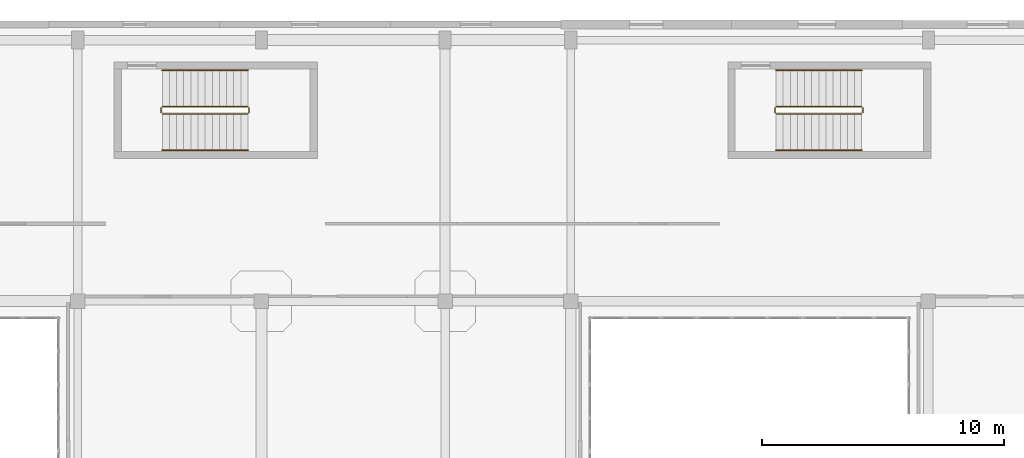
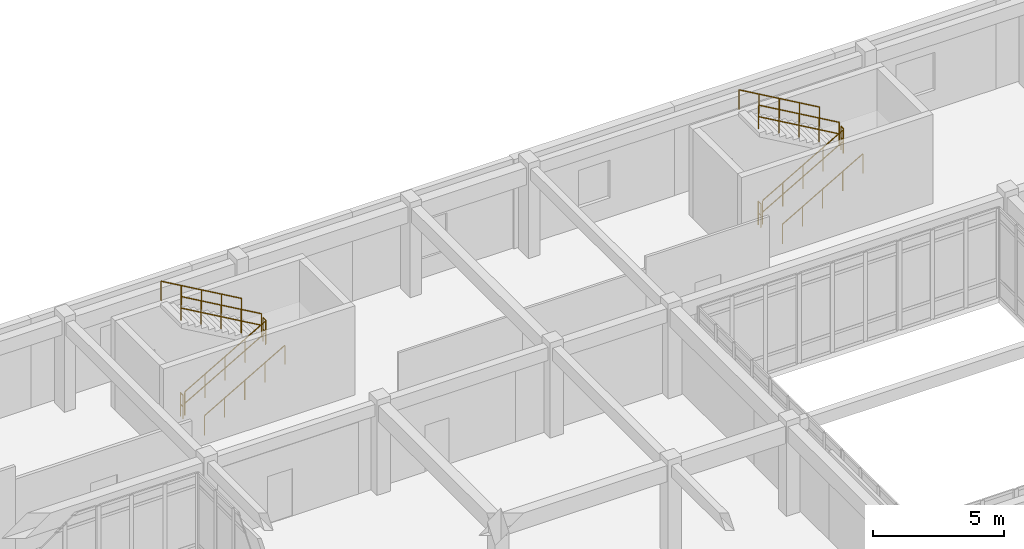
# One storey, part 141 of 142: 12 railings.
"""IFC4 building model written with IfcOpenShell, lengths in metres."""

from ifc_helpers import new_model, si_unit, direction, frame, origin, origin_2d, place, context, subcontext, project, spatial, circle, extrude, material, type_object, element, save


model = new_model("IFC4")

# Units and contexts
model_context = context("Model", 3, precision=1e-05, world=origin(), true_north=direction((0.0, 1.0)))
body_context = subcontext(model_context, "Body", "Model", "MODEL_VIEW")
ifc_project = project(units=[si_unit("LENGTHUNIT", "METRE"), si_unit("AREAUNIT", "SQUARE_METRE"), si_unit("VOLUMEUNIT", "CUBIC_METRE"), si_unit("PLANEANGLEUNIT", "RADIAN"), si_unit("MASSUNIT", "GRAM", prefix="KILO")], contexts=[model_context])

# Site, building, storey
site_placement = place(None, origin())
site = spatial("IfcSite", under=ifc_project, at=site_placement, CompositionType="ELEMENT")
building_placement = place(site_placement, origin())
building = spatial("IfcBuilding", under=site, at=building_placement, Name="Valcora Specialist Clinic", CompositionType="ELEMENT")
storey_placement = place(building_placement, frame((0.0, 0.0, 5.10009765625)))
storey = spatial("IfcBuildingStorey", under=building, at=storey_placement, Name="L01", CompositionType="ELEMENT", Elevation=5.10009765625)

# Railings
ifc_material = material(Name="Stainless Steel AISI 316", Category="steel")
railing_type_1 = type_object("IfcRailingType", Name="TY-RL-GRD112", PredefinedType="GUARDRAIL", material=ifc_material)
railing_1_placement = place(storey_placement, frame((94.300048828125, 106.949951171875, 0.169921875)))
element("IfcRailing", 1, at=railing_1_placement, inside=storey, type_object=railing_type_1, Name="L01 ST-V4B stair guard 1", PredefinedType="GUARDRAIL", context=body_context, shape_type="SweptSolid", body=[
    extrude(circle(Radius=0.02392578125, at=origin_2d()), frame((0.0, 0.0, 1.09619140625), z_axis=(0.866428212428, 0.0, 0.499301665038), x_axis=(0.0, 1.0, 0.0)), (0.0, 0.0, 1.0), 4.085693359375),
    extrude(circle(Radius=0.02392578125, at=origin_2d()), frame((0.0, 0.0, 0.56005859375), z_axis=(0.866428212428, 0.0, 0.499301665038), x_axis=(0.0, 1.0, 0.0)), (0.0, 0.0, 1.0), 4.085693359375),
    extrude(circle(Radius=0.02099609375, at=origin_2d()), origin(), (0.0, 0.0, 1.0), 1.072021484375),
    extrude(circle(Radius=0.02099609375, at=origin_2d()), frame((0.885009765625, 0.0, 0.510009765625)), (0.0, 0.0, 1.0), 1.072021484375),
    extrude(circle(Radius=0.02099609375, at=origin_2d()), frame((1.77001953125, 0.0, 1.02001953125)), (0.0, 0.0, 1.0), 1.072021484375),
    extrude(circle(Radius=0.02099609375, at=origin_2d()), frame((2.655029296875, 0.0, 1.530029296875)), (0.0, 0.0, 1.0), 1.072021484375),
    extrude(circle(Radius=0.02099609375, at=origin_2d()), frame((3.5400390625, 0.0, 2.0400390625)), (0.0, 0.0, 1.0), 1.072021484375),
])
railing_2_placement = place(storey_placement, frame((97.889892578125, 107.0, 2.2099609375)))
element("IfcRailing", 2, at=railing_2_placement, inside=storey, type_object=railing_type_1, Name="L01 ST-V4B stair guard 2", PredefinedType="GUARDRAIL", context=body_context, shape_type="SweptSolid", body=[
    extrude(circle(Radius=0.02392578125, at=origin_2d()), frame((0.0, 0.0, 1.09619140625), z_axis=(0.0, 1.0, 0.0), x_axis=(-1.0, 0.0, 0.0)), (0.0, 0.0, 1.0), 0.199951171875),
    extrude(circle(Radius=0.02392578125, at=origin_2d()), frame((0.0, 0.0, 0.56005859375), z_axis=(0.0, 1.0, 0.0), x_axis=(-1.0, 0.0, 0.0)), (0.0, 0.0, 1.0), 0.199951171875),
    extrude(circle(Radius=0.02099609375, at=origin_2d()), origin(), (0.0, 0.0, 1.0), 1.072021484375),
    extrude(circle(Radius=0.02099609375, at=origin_2d()), frame((0.0, 0.199951171875, 0.0)), (0.0, 0.0, 1.0), 1.072021484375),
])
railing_3_placement = place(storey_placement, frame((97.840087890625, 107.25, 2.3798828125)))
element("IfcRailing", 3, at=railing_3_placement, inside=storey, type_object=railing_type_1, Name="L01 ST-V4B stair guard 3", PredefinedType="GUARDRAIL", context=body_context, shape_type="SweptSolid", body=[
    extrude(circle(Radius=0.02392578125, at=origin_2d()), frame((0.0, 0.0, 1.09619140625), z_axis=(-0.866428212428, 0.0, 0.499301665038), x_axis=(0.0, -1.0, 0.0)), (0.0, 0.0, 1.0), 4.085693359375),
    extrude(circle(Radius=0.02392578125, at=origin_2d()), frame((0.0, 0.0, 0.56005859375), z_axis=(-0.866428212428, 0.0, 0.499301665038), x_axis=(0.0, -1.0, 0.0)), (0.0, 0.0, 1.0), 4.085693359375),
    extrude(circle(Radius=0.02099609375, at=origin_2d()), origin(), (0.0, 0.0, 1.0), 1.072021484375),
    extrude(circle(Radius=0.02099609375, at=origin_2d()), frame((-0.885009765625, 0.0, 0.510009765625)), (0.0, 0.0, 1.0), 1.072021484375),
    extrude(circle(Radius=0.02099609375, at=origin_2d()), frame((-1.77001953125, 0.0, 1.02001953125)), (0.0, 0.0, 1.0), 1.072021484375),
    extrude(circle(Radius=0.02099609375, at=origin_2d()), frame((-2.655029296875, 0.0, 1.530029296875)), (0.0, 0.0, 1.0), 1.072021484375),
    extrude(circle(Radius=0.02099609375, at=origin_2d()), frame((-3.5400390625, 0.0, 2.0400390625)), (0.0, 0.0, 1.0), 1.072021484375),
])
railing_4_placement = place(storey_placement, frame((94.25, 107.0, 0.0)))
element("IfcRailing", 4, at=railing_4_placement, inside=storey, type_object=railing_type_1, Name="L01 ST-V4B stair guard 4", PredefinedType="GUARDRAIL", context=body_context, shape_type="SweptSolid", body=[
    extrude(circle(Radius=0.02392578125, at=origin_2d()), frame((0.0, 0.0, 1.09619140625), z_axis=(0.0, 1.0, 0.0), x_axis=(-1.0, 0.0, 0.0)), (0.0, 0.0, 1.0), 0.199951171875),
    extrude(circle(Radius=0.02392578125, at=origin_2d()), frame((0.0, 0.0, 0.56005859375), z_axis=(0.0, 1.0, 0.0), x_axis=(-1.0, 0.0, 0.0)), (0.0, 0.0, 1.0), 0.199951171875),
    extrude(circle(Radius=0.02099609375, at=origin_2d()), origin(), (0.0, 0.0, 1.0), 1.072021484375),
    extrude(circle(Radius=0.02099609375, at=origin_2d()), frame((0.0, 0.199951171875, 0.0)), (0.0, 0.0, 1.0), 1.072021484375),
])
railing_5_placement = place(storey_placement, frame((119.699951171875, 106.949951171875, 0.169921875)))
element("IfcRailing", 5, at=railing_5_placement, inside=storey, type_object=railing_type_1, Name="L01 ST-V4C stair guard 1", PredefinedType="GUARDRAIL", context=body_context, shape_type="SweptSolid", body=[
    extrude(circle(Radius=0.02392578125, at=origin_2d()), frame((0.0, 0.0, 1.09619140625), z_axis=(0.866428212428, 0.0, 0.499301665038), x_axis=(0.0, 1.0, 0.0)), (0.0, 0.0, 1.0), 4.085693359375),
    extrude(circle(Radius=0.02392578125, at=origin_2d()), frame((0.0, 0.0, 0.56005859375), z_axis=(0.866428212428, 0.0, 0.499301665038), x_axis=(0.0, 1.0, 0.0)), (0.0, 0.0, 1.0), 4.085693359375),
    extrude(circle(Radius=0.02099609375, at=origin_2d()), origin(), (0.0, 0.0, 1.0), 1.072021484375),
    extrude(circle(Radius=0.02099609375, at=origin_2d()), frame((0.885009765625, 0.0, 0.510009765625)), (0.0, 0.0, 1.0), 1.072021484375),
    extrude(circle(Radius=0.02099609375, at=origin_2d()), frame((1.77001953125, 0.0, 1.02001953125)), (0.0, 0.0, 1.0), 1.072021484375),
    extrude(circle(Radius=0.02099609375, at=origin_2d()), frame((2.655029296875, 0.0, 1.530029296875)), (0.0, 0.0, 1.0), 1.072021484375),
    extrude(circle(Radius=0.02099609375, at=origin_2d()), frame((3.5400390625, 0.0, 2.0400390625)), (0.0, 0.0, 1.0), 1.072021484375),
])
railing_6_placement = place(storey_placement, frame((123.2900390625, 107.0, 2.2099609375)))
element("IfcRailing", 6, at=railing_6_placement, inside=storey, type_object=railing_type_1, Name="L01 ST-V4C stair guard 2", PredefinedType="GUARDRAIL", context=body_context, shape_type="SweptSolid", body=[
    extrude(circle(Radius=0.02392578125, at=origin_2d()), frame((0.0, 0.0, 1.09619140625), z_axis=(0.0, 1.0, 0.0), x_axis=(-1.0, 0.0, 0.0)), (0.0, 0.0, 1.0), 0.199951171875),
    extrude(circle(Radius=0.02392578125, at=origin_2d()), frame((0.0, 0.0, 0.56005859375), z_axis=(0.0, 1.0, 0.0), x_axis=(-1.0, 0.0, 0.0)), (0.0, 0.0, 1.0), 0.199951171875),
    extrude(circle(Radius=0.02099609375, at=origin_2d()), origin(), (0.0, 0.0, 1.0), 1.072021484375),
    extrude(circle(Radius=0.02099609375, at=origin_2d()), frame((0.0, 0.199951171875, 0.0)), (0.0, 0.0, 1.0), 1.072021484375),
])
railing_7_placement = place(storey_placement, frame((123.239990234375, 107.25, 2.3798828125)))
element("IfcRailing", 7, at=railing_7_placement, inside=storey, type_object=railing_type_1, Name="L01 ST-V4C stair guard 3", PredefinedType="GUARDRAIL", context=body_context, shape_type="SweptSolid", body=[
    extrude(circle(Radius=0.02392578125, at=origin_2d()), frame((0.0, 0.0, 1.09619140625), z_axis=(-0.866428212428, 0.0, 0.499301665038), x_axis=(0.0, -1.0, 0.0)), (0.0, 0.0, 1.0), 4.085693359375),
    extrude(circle(Radius=0.02392578125, at=origin_2d()), frame((0.0, 0.0, 0.56005859375), z_axis=(-0.866428212428, 0.0, 0.499301665038), x_axis=(0.0, -1.0, 0.0)), (0.0, 0.0, 1.0), 4.085693359375),
    extrude(circle(Radius=0.02099609375, at=origin_2d()), origin(), (0.0, 0.0, 1.0), 1.072021484375),
    extrude(circle(Radius=0.02099609375, at=origin_2d()), frame((-0.885009765625, 0.0, 0.510009765625)), (0.0, 0.0, 1.0), 1.072021484375),
    extrude(circle(Radius=0.02099609375, at=origin_2d()), frame((-1.77001953125, 0.0, 1.02001953125)), (0.0, 0.0, 1.0), 1.072021484375),
    extrude(circle(Radius=0.02099609375, at=origin_2d()), frame((-2.655029296875, 0.0, 1.530029296875)), (0.0, 0.0, 1.0), 1.072021484375),
    extrude(circle(Radius=0.02099609375, at=origin_2d()), frame((-3.5400390625, 0.0, 2.0400390625)), (0.0, 0.0, 1.0), 1.072021484375),
])
railing_8_placement = place(storey_placement, frame((119.64990234375, 107.0, 0.0)))
element("IfcRailing", 8, at=railing_8_placement, inside=storey, type_object=railing_type_1, Name="L01 ST-V4C stair guard 4", PredefinedType="GUARDRAIL", context=body_context, shape_type="SweptSolid", body=[
    extrude(circle(Radius=0.02392578125, at=origin_2d()), frame((0.0, 0.0, 1.09619140625), z_axis=(0.0, 1.0, 0.0), x_axis=(-1.0, 0.0, 0.0)), (0.0, 0.0, 1.0), 0.199951171875),
    extrude(circle(Radius=0.02392578125, at=origin_2d()), frame((0.0, 0.0, 0.56005859375), z_axis=(0.0, 1.0, 0.0), x_axis=(-1.0, 0.0, 0.0)), (0.0, 0.0, 1.0), 0.199951171875),
    extrude(circle(Radius=0.02099609375, at=origin_2d()), origin(), (0.0, 0.0, 1.0), 1.072021484375),
    extrude(circle(Radius=0.02099609375, at=origin_2d()), frame((0.0, 0.199951171875, 0.0)), (0.0, 0.0, 1.0), 1.072021484375),
])
railing_type_2 = type_object("IfcRailingType", Name="TY-RL-HND092", PredefinedType="HANDRAIL", material=ifc_material)
railing_9_placement = place(storey_placement, frame((94.300048828125, 105.449951171875, 0.169921875)))
element("IfcRailing", 9, at=railing_9_placement, inside=storey, type_object=railing_type_2, Name="L01 ST-V4B stair handrail 1", PredefinedType="HANDRAIL", context=body_context, shape_type="SweptSolid", body=[
    extrude(circle(Radius=0.02392578125, at=origin_2d()), frame((0.0, 0.0, 0.89599609375), z_axis=(0.866428212428, 0.0, 0.499301665038), x_axis=(0.0, 1.0, 0.0)), (0.0, 0.0, 1.0), 4.085693359375),
    extrude(circle(Radius=0.02099609375, at=origin_2d()), origin(), (0.0, 0.0, 1.0), 0.871826171875),
    extrude(circle(Radius=0.02099609375, at=origin_2d()), frame((0.885009765625, 0.0, 0.510009765625)), (0.0, 0.0, 1.0), 0.871826171875),
    extrude(circle(Radius=0.02099609375, at=origin_2d()), frame((1.77001953125, 0.0, 1.02001953125)), (0.0, 0.0, 1.0), 0.871826171875),
    extrude(circle(Radius=0.02099609375, at=origin_2d()), frame((2.655029296875, 0.0, 1.530029296875)), (0.0, 0.0, 1.0), 0.871826171875),
    extrude(circle(Radius=0.02099609375, at=origin_2d()), frame((3.5400390625, 0.0, 2.0400390625)), (0.0, 0.0, 1.0), 0.871826171875),
])
railing_10_placement = place(storey_placement, frame((97.840087890625, 108.75, 2.3798828125)))
element("IfcRailing", 10, at=railing_10_placement, inside=storey, type_object=railing_type_2, Name="L01 ST-V4B stair handrail 2", PredefinedType="HANDRAIL", context=body_context, shape_type="SweptSolid", body=[
    extrude(circle(Radius=0.02392578125, at=origin_2d()), frame((0.0, 0.0, 0.89599609375), z_axis=(-0.866428212428, 0.0, 0.499301665038), x_axis=(0.0, -1.0, 0.0)), (0.0, 0.0, 1.0), 4.085693359375),
    extrude(circle(Radius=0.02099609375, at=origin_2d()), origin(), (0.0, 0.0, 1.0), 0.871826171875),
    extrude(circle(Radius=0.02099609375, at=origin_2d()), frame((-0.885009765625, 0.0, 0.510009765625)), (0.0, 0.0, 1.0), 0.871826171875),
    extrude(circle(Radius=0.02099609375, at=origin_2d()), frame((-1.77001953125, 0.0, 1.02001953125)), (0.0, 0.0, 1.0), 0.871826171875),
    extrude(circle(Radius=0.02099609375, at=origin_2d()), frame((-2.655029296875, 0.0, 1.530029296875)), (0.0, 0.0, 1.0), 0.871826171875),
    extrude(circle(Radius=0.02099609375, at=origin_2d()), frame((-3.5400390625, 0.0, 2.0400390625)), (0.0, 0.0, 1.0), 0.871826171875),
])
railing_11_placement = place(storey_placement, frame((119.699951171875, 105.449951171875, 0.169921875)))
element("IfcRailing", 11, at=railing_11_placement, inside=storey, type_object=railing_type_2, Name="L01 ST-V4C stair handrail 1", PredefinedType="HANDRAIL", context=body_context, shape_type="SweptSolid", body=[
    extrude(circle(Radius=0.02392578125, at=origin_2d()), frame((0.0, 0.0, 0.89599609375), z_axis=(0.866428212428, 0.0, 0.499301665038), x_axis=(0.0, 1.0, 0.0)), (0.0, 0.0, 1.0), 4.085693359375),
    extrude(circle(Radius=0.02099609375, at=origin_2d()), origin(), (0.0, 0.0, 1.0), 0.871826171875),
    extrude(circle(Radius=0.02099609375, at=origin_2d()), frame((0.885009765625, 0.0, 0.510009765625)), (0.0, 0.0, 1.0), 0.871826171875),
    extrude(circle(Radius=0.02099609375, at=origin_2d()), frame((1.77001953125, 0.0, 1.02001953125)), (0.0, 0.0, 1.0), 0.871826171875),
    extrude(circle(Radius=0.02099609375, at=origin_2d()), frame((2.655029296875, 0.0, 1.530029296875)), (0.0, 0.0, 1.0), 0.871826171875),
    extrude(circle(Radius=0.02099609375, at=origin_2d()), frame((3.5400390625, 0.0, 2.0400390625)), (0.0, 0.0, 1.0), 0.871826171875),
])
railing_12_placement = place(storey_placement, frame((123.239990234375, 108.75, 2.3798828125)))
element("IfcRailing", 12, at=railing_12_placement, inside=storey, type_object=railing_type_2, Name="L01 ST-V4C stair handrail 2", PredefinedType="HANDRAIL", context=body_context, shape_type="SweptSolid", body=[
    extrude(circle(Radius=0.02392578125, at=origin_2d()), frame((0.0, 0.0, 0.89599609375), z_axis=(-0.866428212428, 0.0, 0.499301665038), x_axis=(0.0, -1.0, 0.0)), (0.0, 0.0, 1.0), 4.085693359375),
    extrude(circle(Radius=0.02099609375, at=origin_2d()), origin(), (0.0, 0.0, 1.0), 0.871826171875),
    extrude(circle(Radius=0.02099609375, at=origin_2d()), frame((-0.885009765625, 0.0, 0.510009765625)), (0.0, 0.0, 1.0), 0.871826171875),
    extrude(circle(Radius=0.02099609375, at=origin_2d()), frame((-1.77001953125, 0.0, 1.02001953125)), (0.0, 0.0, 1.0), 0.871826171875),
    extrude(circle(Radius=0.02099609375, at=origin_2d()), frame((-2.655029296875, 0.0, 1.530029296875)), (0.0, 0.0, 1.0), 0.871826171875),
    extrude(circle(Radius=0.02099609375, at=origin_2d()), frame((-3.5400390625, 0.0, 2.0400390625)), (0.0, 0.0, 1.0), 0.871826171875),
])

save(model, "model.ifc")
